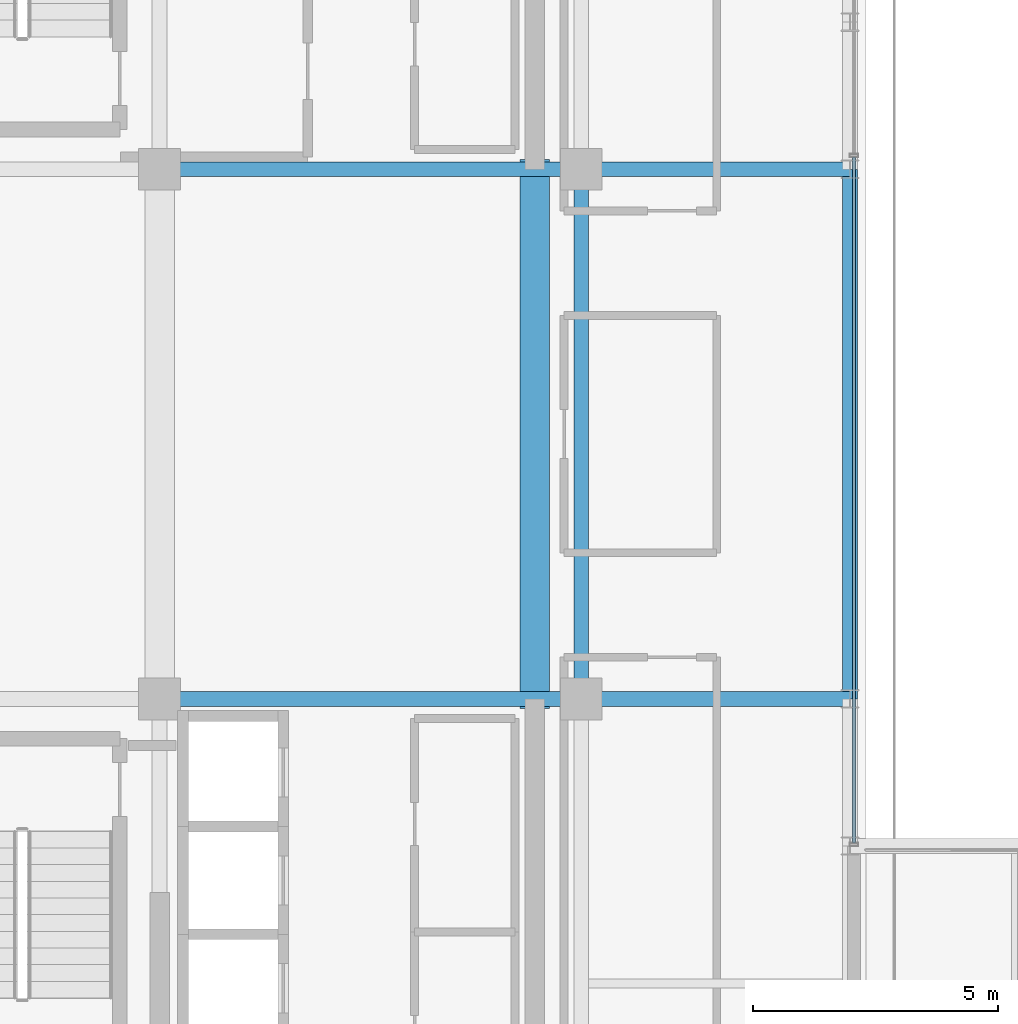
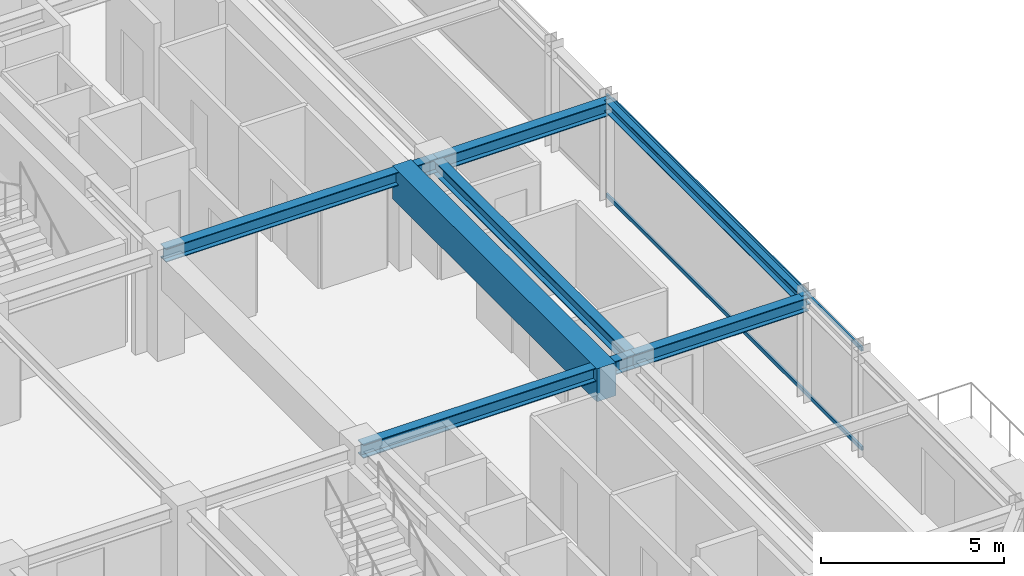
# One storey, part 14 of 32: 7 beams, 2 members, 1 element without a shape of its own.
"""IFC4 building model written with IfcOpenShell, lengths in metres."""

from ifc_helpers import new_model, si_unit, direction, frame, origin, origin_2d, place, context, subcontext, project, spatial, rectangle, hollow_rectangle, i_section, extrude, source, transform, mapped, material, material_profile, profile_set, type_object, element, aggregate, save


model = new_model("IFC4")

# Units and contexts
model_context = context("Model", 3, precision=1e-05, world=origin(), true_north=direction((0.0, 1.0)))
body_context = subcontext(model_context, "Body", "Model", "MODEL_VIEW")
ifc_project = project(units=[si_unit("LENGTHUNIT", "METRE"), si_unit("AREAUNIT", "SQUARE_METRE"), si_unit("VOLUMEUNIT", "CUBIC_METRE"), si_unit("PLANEANGLEUNIT", "RADIAN"), si_unit("MASSUNIT", "GRAM", prefix="KILO")], contexts=[model_context])

# Site, building, storey
site_placement = place(None, origin())
site = spatial("IfcSite", under=ifc_project, at=site_placement, CompositionType="ELEMENT")
building_placement = place(site_placement, origin())
building = spatial("IfcBuilding", under=site, at=building_placement, Name="Nahalor Promenade Grand Hotel", CompositionType="ELEMENT")
storey_placement = place(building_placement, frame((0.0, 0.0, 266.300048828125)))
storey = spatial("IfcBuildingStorey", under=building, at=storey_placement, Name="L68", CompositionType="ELEMENT", Elevation=266.300048828125)

# Beams
ifc_material_1 = material(Name="Concrete B-60 (C50/60)", Category="concrete")
ifc_material_profile_1 = material_profile(ifc_material_1, rectangle(XDim=0.6, YDim=1.1, at=origin_2d()), Name="RC 600x1100")
ifc_profile_set_1 = profile_set([ifc_material_profile_1], Name="Concrete B-60 (C50/60)")
beam_type_1 = type_object("IfcBeamType", Name="Beam-Lintel-RC1100", PredefinedType="LINTEL", material=ifc_profile_set_1)
shared_shape_1 = source(origin(), body_context, "Body", "SweptSolid", [
    extrude(rectangle(XDim=0.6, YDim=1.1, at=origin_2d()), origin(), (0.0, 0.0, 1.0), 11.2001953125),
])
beam_1_placement = place(storey_placement, frame((16.050048828125, -5.60009765625, 2.89990234375), z_axis=(0.0, 1.0, 0.0), x_axis=(-1.0, 0.0, 0.0)))
element("IfcBeam", 1, at=beam_1_placement, inside=storey, type_object=beam_type_1, Name="BM-L68-LINT-E", PredefinedType="LINTEL", context=body_context, shape_type="MappedRepresentation", body=[
    mapped(shared_shape_1, transform((0.0, 0.0, 0.0), scale=1.0)),
])
ifc_material_2 = material(Name="Steel S355JR", Category="steel")
ifc_material_profile_2 = material_profile(ifc_material_2, i_section(OverallWidth=0.3, OverallDepth=0.45, WebThickness=0.014, FlangeThickness=0.026, at=origin_2d()), Name="HEB 450")
ifc_profile_set_2 = profile_set([ifc_material_profile_2], Name="Steel S355JR")
beam_type_2 = type_object("IfcBeamType", Name="Beam-Girder-HEB450", PredefinedType="BEAM", material=ifc_profile_set_2)
shared_shape_2 = source(origin(), body_context, "Body", "SweptSolid", [
    extrude(i_section(OverallWidth=0.3, OverallDepth=0.45, WebThickness=0.014, FlangeThickness=0.026, at=origin_2d()), origin(), (0.0, 0.0, 1.0), 8.60009765625),
])
for number, where, z_axis, x_axis, name in (
    (2, (8.39990234375, -5.39990234375, 3.224853515625), (1.0, 0.0, 0.0), (0.0, 1.0, 0.0), "BM-L68-GX-1-5"),
    (3, (8.39990234375, 5.39990234375, 3.224853515625), (1.0, 0.0, 0.0), (0.0, 1.0, 0.0), "BM-L68-GX-2-5"),
):
    element("IfcBeam", number, at=place(storey_placement, frame(where, z_axis=z_axis, x_axis=x_axis)), inside=storey, type_object=beam_type_2, Name=name, PredefinedType="BEAM", context=body_context, shape_type="MappedRepresentation", body=[
        mapped(shared_shape_2, transform((0.0, 0.0, 0.0), scale=1.0)),
    ])
shared_shape_3 = source(origin(), body_context, "Body", "SweptSolid", [
    extrude(i_section(OverallWidth=0.3, OverallDepth=0.45, WebThickness=0.014, FlangeThickness=0.026, at=origin_2d()), origin(), (0.0, 0.0, 1.0), 10.7998046875),
])
beam_2_placement = place(storey_placement, frame((17.0, -5.39990234375, 3.224853515625), z_axis=(0.0, 1.0, 0.0), x_axis=(-1.0, 0.0, 0.0)))
element("IfcBeam", 4, at=beam_2_placement, inside=storey, type_object=beam_type_2, Name="BM-L68-GY-5-2", PredefinedType="BEAM", context=body_context, shape_type="MappedRepresentation", body=[
    mapped(shared_shape_3, transform((0.0, 0.0, 0.0), scale=1.0)),
])
shared_shape_4 = source(origin(), body_context, "Body", "SweptSolid", [
    extrude(i_section(OverallWidth=0.3, OverallDepth=0.45, WebThickness=0.014, FlangeThickness=0.026, at=origin_2d()), origin(), (0.0, 0.0, 1.0), 5.47998046875),
])
for number, where, z_axis, x_axis, name in (
    (5, (17.0, -5.39990234375, 3.224853515625), (1.0, 0.0, 0.0), (0.0, 1.0, 0.0), "BM-L68-GX-1-6"),
    (6, (17.0, 5.39990234375, 3.224853515625), (1.0, 0.0, 0.0), (0.0, 1.0, 0.0), "BM-L68-GX-2-6"),
):
    element("IfcBeam", number, at=place(storey_placement, frame(where, z_axis=z_axis, x_axis=x_axis)), inside=storey, type_object=beam_type_2, Name=name, PredefinedType="BEAM", context=body_context, shape_type="MappedRepresentation", body=[
        mapped(shared_shape_4, transform((0.0, 0.0, 0.0), scale=1.0)),
    ])
ifc_material_profile_3 = material_profile(ifc_material_2, i_section(OverallWidth=0.3, OverallDepth=0.36, WebThickness=0.0125, FlangeThickness=0.0225, at=origin_2d()), Name="HEB 360")
ifc_profile_set_3 = profile_set([ifc_material_profile_3], Name="Steel S355JR")
beam_type_3 = type_object("IfcBeamType", Name="Beam-Spandrel-HEB360", PredefinedType="SPANDREL", material=ifc_profile_set_3)
shared_shape_5 = source(origin(), body_context, "Body", "SweptSolid", [
    extrude(i_section(OverallWidth=0.3, OverallDepth=0.36, WebThickness=0.0125, FlangeThickness=0.0225, at=origin_2d()), origin(), (0.0, 0.0, 1.0), 10.7998046875),
])
beam_3_placement = place(storey_placement, frame((22.47998046875, -5.39990234375, 3.27001953125), z_axis=(0.0, 1.0, 0.0), x_axis=(-1.0, 0.0, 0.0)))
element("IfcBeam", 7, at=beam_3_placement, inside=storey, type_object=beam_type_3, Name="BM-L68-SP-E-2", PredefinedType="SPANDREL", context=body_context, shape_type="MappedRepresentation", body=[
    mapped(shared_shape_5, transform((0.0, 0.0, 0.0), scale=1.0)),
])

# Curtain wall, members
ifc_material_3 = material(Name="Anodised Bronze Aluminium EN AW-6063 T6", Category="aluminium")
curtain_wall_type = type_object("IfcCurtainWallType", Name="CW2 Typical Hotel Flush Bronze Unitised Curtain Wall", PredefinedType="USERDEFINED", material=ifc_material_3)
curtain_wall_placement = place(storey_placement, origin())
curtain_wall = element("IfcCurtainWall", 8, at=curtain_wall_placement, inside=storey, type_object=curtain_wall_type, Name="L68 Curtain Wall CW-L68-E-3", ObjectType="UNITISED_CURTAIN_WALL", PredefinedType="USERDEFINED")
ifc_material_profile_4 = material_profile(ifc_material_3, hollow_rectangle(XDim=0.065, YDim=0.13, WallThickness=0.004, at=origin_2d()), Name="CWT 65x130x4")
ifc_profile_set_4 = profile_set([ifc_material_profile_4], Name="Anodised Bronze Aluminium EN AW-6063 T6")
member_type = type_object("IfcMemberType", Name="CWT2 Typical Bronze Transom 65x130", PredefinedType="USERDEFINED", material=ifc_profile_set_4)
shared_shape_6 = source(origin(), body_context, "Body", "SweptSolid", [
    extrude(hollow_rectangle(XDim=0.065, YDim=0.13, WallThickness=0.004, at=origin_2d()), origin(), (0.0, 0.0, 1.0), 13.982421875),
])
member_1_placement = place(storey_placement, frame((22.56005859375, -8.3349609375, 0.06494140625), z_axis=(0.0, 1.0, 0.0), x_axis=(-1.0, 0.0, 0.0)))
member_1 = element("IfcMember", 9, at=member_1_placement, type_object=member_type, Name="CW-L68-E-3 Transom 0-0", ObjectType="TRANSOM", PredefinedType="USERDEFINED", context=body_context, shape_type="MappedRepresentation", body=[
    mapped(shared_shape_6, transform((0.0, 0.0, 0.0), scale=1.0)),
])
member_2_placement = place(storey_placement, frame((22.56005859375, -8.3349609375, 3.385009765625), z_axis=(0.0, 1.0, 0.0), x_axis=(-1.0, 0.0, 0.0)))
member_2 = element("IfcMember", 10, at=member_2_placement, type_object=member_type, Name="CW-L68-E-3 Transom 0-1", ObjectType="TRANSOM", PredefinedType="USERDEFINED", context=body_context, shape_type="MappedRepresentation", body=[
    mapped(shared_shape_6, transform((0.0, 0.0, 0.0), scale=1.0)),
])
aggregate(curtain_wall, [member_1, member_2])

save(model, "model.ifc")
